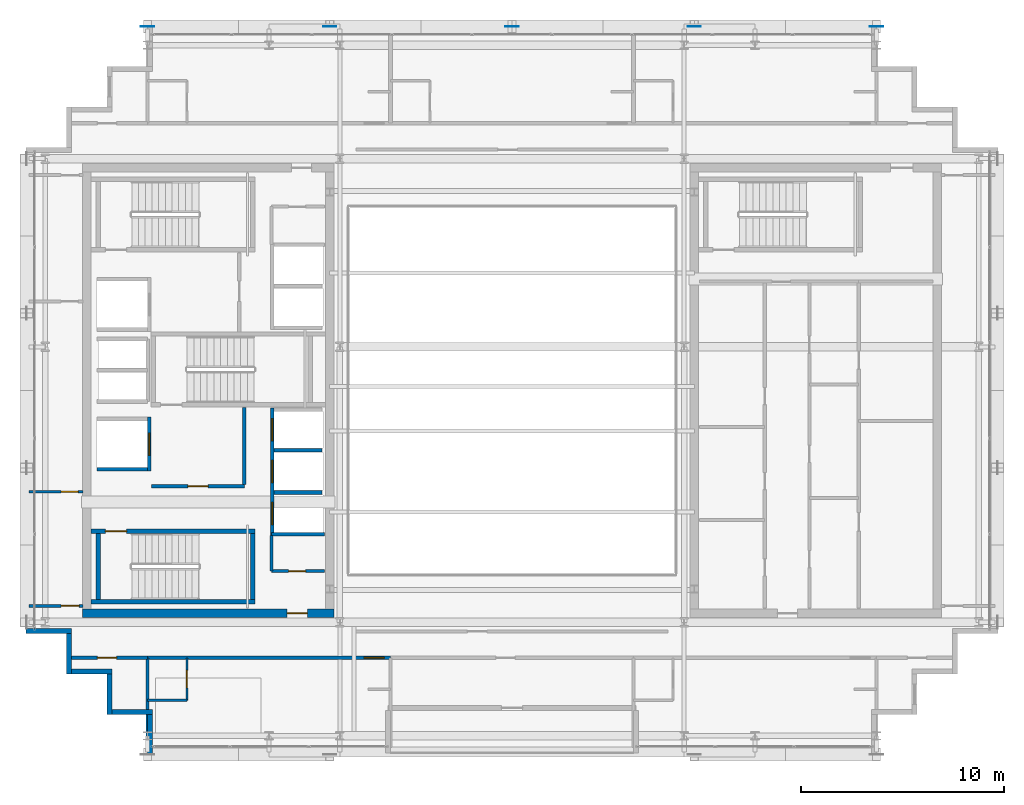
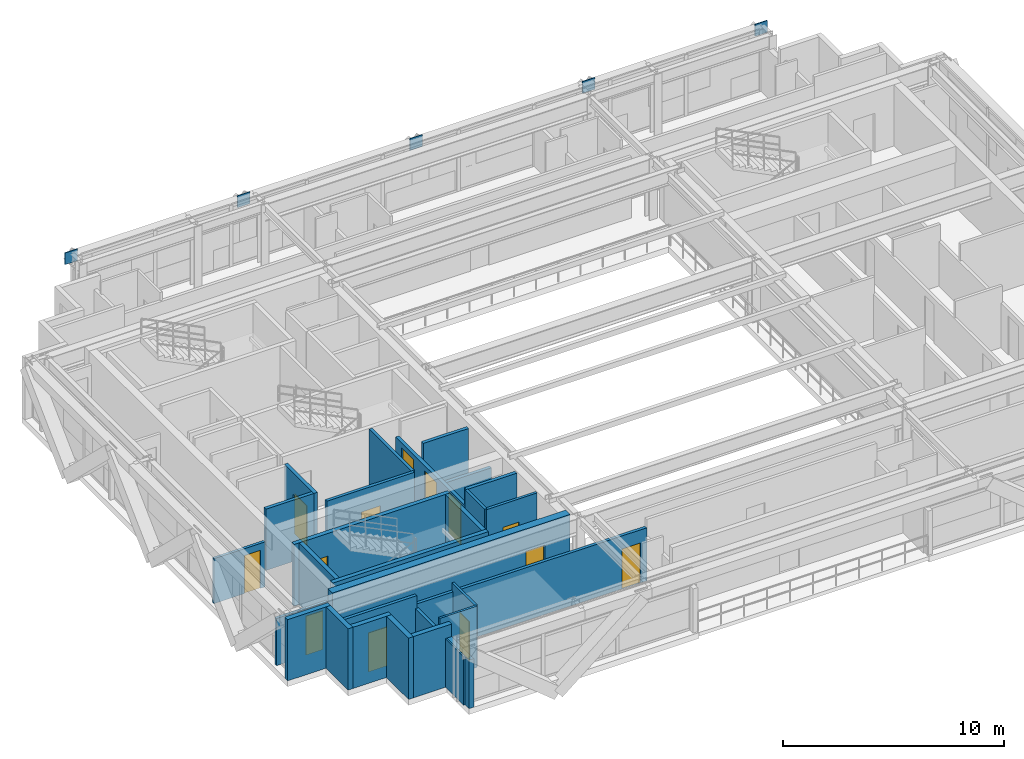
# One storey, part 21 of 29: 28 walls, 13 doors, 5 plates, 13 openings.
"""IFC4 building model written with IfcOpenShell, lengths in metres."""

import ifcopenshell
import ifcopenshell.guid

model = None  # the IFC model being written
_history = None  # IfcOwnerHistory: only IFC2X3 demands one
_inside = {}  # id of a spatial element -> (the spatial element, [elements in it])
_under = {}  # id of a project, library or spatial element -> (it, [spatial elements below it])
_declared = {}  # id of a project -> (the project, [libraries it declares])
_typed = {}  # id of a type object -> (the type object, [elements of that type])
_made_of = {}  # id of a material, layer set ... -> (it, [elements and type objects made of it])


def new_model(schema):
    """Start an empty IFC model of exactly this schema.

    Asked for "IFC4X3", IfcOpenShell would pick the latest addendum, in which some entities
    have other attributes; the version numbers below select the first issue.
    IFC2X3 requires an IfcOwnerHistory on every rooted entity: one is made here for all.
    """
    global model, _history
    if schema == "IFC4X3":
        model = ifcopenshell.file(schema_version=(4, 3, 0, 0))
    else:
        model = ifcopenshell.file(schema=schema)
    _inside.clear()
    _under.clear()
    _declared.clear()
    _typed.clear()
    _made_of.clear()
    _history = None
    if model.schema == "IFC2X3":
        org = make("IfcOrganization", Name="unknown")
        user = make(
            "IfcPersonAndOrganization",
            ThePerson=make("IfcPerson", FamilyName="unknown"),
            TheOrganization=org,
        )
        app = make(
            "IfcApplication",
            ApplicationDeveloper=org,
            Version="unknown",
            ApplicationFullName="unknown",
            ApplicationIdentifier="unknown",
        )
        _history = make(
            "IfcOwnerHistory",
            OwningUser=user,
            OwningApplication=app,
            ChangeAction="ADDED",
            CreationDate=0,
        )
    return model


def make(cls, **values):
    """One entity of the class cls with the attributes given. An attribute that is None is left unset."""
    return model.create_entity(
        cls, **{name: value for name, value in values.items() if value is not None}
    )


def rooted(cls, **values):
    """An entity with a GlobalId (a new one), such as an element, a storey or a relation."""
    return make(cls, GlobalId=ifcopenshell.guid.new(), OwnerHistory=_history, **values)


def si_unit(unit_type, name, prefix=None):
    """IfcSIUnit, for example si_unit("LENGTHUNIT", "METRE", prefix="MILLI")."""
    return make("IfcSIUnit", UnitType=unit_type, Prefix=prefix, Name=name)


def assignment(units):
    """IfcUnitAssignment: the units of a project."""
    return None if units is None else make("IfcUnitAssignment", Units=units)


def point(xyz):
    """IfcCartesianPoint."""
    return None if xyz is None else make("IfcCartesianPoint", Coordinates=xyz)


def direction(xyz):
    """IfcDirection."""
    return None if xyz is None else make("IfcDirection", DirectionRatios=xyz)


def frame(location, z_axis=None, x_axis=None):
    """IfcAxis2Placement3D, a coordinate frame: its origin and axes. An axis left out is left unset."""
    return make(
        "IfcAxis2Placement3D",
        Location=point(location),
        Axis=direction(z_axis),
        RefDirection=direction(x_axis),
    )


def frame_2d(location, x_axis=None):
    """IfcAxis2Placement2D, a coordinate frame in the plane: its origin and x axis."""
    return make(
        "IfcAxis2Placement2D", Location=point(location), RefDirection=direction(x_axis)
    )


def origin():
    """The frame at (0, 0, 0) with its axes left unset."""
    return frame((0.0, 0.0, 0.0))


def origin_2d():
    """The frame at (0, 0) in the plane with its x axis left unset."""
    return frame_2d((0.0, 0.0))


def place(relative_to, where):
    """IfcLocalPlacement: puts the frame where relative to a parent placement (None: the world)."""
    return make(
        "IfcLocalPlacement", PlacementRelTo=relative_to, RelativePlacement=where
    )


def context(
    kind, dimensions, precision=None, world=None, true_north=None, identifier=None
):
    """IfcGeometricRepresentationContext, for example the 3D "Model" context."""
    return make(
        "IfcGeometricRepresentationContext",
        ContextIdentifier=identifier,
        ContextType=kind,
        CoordinateSpaceDimension=dimensions,
        Precision=precision,
        WorldCoordinateSystem=world,
        TrueNorth=true_north,
    )


def subcontext(parent, identifier, kind, view, scale=None):
    """IfcGeometricRepresentationSubContext, for example "Body" below "Model"."""
    return make(
        "IfcGeometricRepresentationSubContext",
        ContextIdentifier=identifier,
        ContextType=kind,
        ParentContext=parent,
        TargetScale=scale,
        TargetView=view,
    )


def project(units=None, contexts=None):
    """IfcProject with its units and contexts."""
    return rooted(
        "IfcProject",
        Name="project",
        RepresentationContexts=contexts,
        UnitsInContext=assignment(units),
    )


def spatial(cls, under=None, at=None, **own):
    """A site, building, storey or space (cls), placed at a placement, below another one or the project."""
    s = rooted(cls, ObjectPlacement=at, **own)
    if under is not None:
        _under.setdefault(under.id(), (under, []))[1].append(s)
    return s


def profile(cls, at=None, kind="AREA", **sizes):
    """A parametric profile (cls). Its sizes go by their IFC names, for example OverallWidth=200.0."""
    return make(cls, ProfileType=kind, Position=at, **sizes)


def rectangle(**sizes):
    """IfcRectangleProfileDef."""
    return profile("IfcRectangleProfileDef", **sizes)


def extrude(swept, where, along, depth):
    """IfcExtrudedAreaSolid: the profile swept, set in the frame where, extruded along a direction by depth."""
    return make(
        "IfcExtrudedAreaSolid",
        SweptArea=swept,
        Position=where,
        ExtrudedDirection=direction(along),
        Depth=depth,
    )


def shape(context_of_items, identifier, shape_type, items):
    """IfcShapeRepresentation: the items that make up one representation, for example the "Body"."""
    return make(
        "IfcShapeRepresentation",
        ContextOfItems=context_of_items,
        RepresentationIdentifier=identifier,
        RepresentationType=shape_type,
        Items=items,
    )


def source(mapping_origin, context_of_items, identifier, shape_type, items):
    """IfcRepresentationMap: a shape defined once, which mapped items show again and again."""
    return make(
        "IfcRepresentationMap",
        MappingOrigin=mapping_origin,
        MappedRepresentation=shape(context_of_items, identifier, shape_type, items),
    )


def transform(
    local_origin,
    x_axis=None,
    y_axis=None,
    z_axis=None,
    scale=None,
    scale2=None,
    scale3=None,
    uniform=True,
):
    """IfcCartesianTransformationOperator3D, or its non-uniform kind. x_axis, y_axis, z_axis: its Axis1, 2, 3."""
    if uniform:
        return make(
            "IfcCartesianTransformationOperator3D",
            Axis1=direction(x_axis),
            Axis2=direction(y_axis),
            LocalOrigin=point(local_origin),
            Scale=scale,
            Axis3=direction(z_axis),
        )
    return make(
        "IfcCartesianTransformationOperator3DnonUniform",
        Axis1=direction(x_axis),
        Axis2=direction(y_axis),
        LocalOrigin=point(local_origin),
        Scale=scale,
        Axis3=direction(z_axis),
        Scale2=scale2,
        Scale3=scale3,
    )


def mapped(mapping_source, mapping_target):
    """IfcMappedItem: shows the shape of a source again, moved by a transform."""
    return make(
        "IfcMappedItem", MappingSource=mapping_source, MappingTarget=mapping_target
    )


def material(Name=None, Category=None):
    """IfcMaterial."""
    return make("IfcMaterial", Name=Name, Category=Category)


def layer(
    of_material, thickness, ventilated=None, Name=None, Category=None, Priority=None
):
    """IfcMaterialLayer: one layer of a wall or slab, of a material (None: an air gap)."""
    return make(
        "IfcMaterialLayer",
        Material=of_material,
        LayerThickness=thickness,
        IsVentilated=ventilated,
        Name=Name,
        Category=Category,
        Priority=Priority,
    )


def layer_set(layers, Name=None):
    """IfcMaterialLayerSet."""
    return make("IfcMaterialLayerSet", MaterialLayers=layers, LayerSetName=Name)


def made_of(thing, what):
    """Note that an element or type object is made of a material, layer set ...; save() writes the relation."""
    if what is not None:
        _made_of.setdefault(what.id(), (what, []))[1].append(thing)
    return thing


def type_object(cls, material=None, **own):
    """A type object (cls), such as IfcWallType, which elements share."""
    return made_of(rooted(cls, **own), material)


def element(
    cls,
    number,
    at=None,
    inside=None,
    cuts=None,
    type_object=None,
    material=None,
    context=None,
    identifier="Body",
    shape_type=None,
    held_by="IfcProductDefinitionShape",
    body=None,
    shapes=None,
    **own,
):
    """One element of the class cls, such as IfcWall. Its Tag is "e" and its number.

    at: its placement. inside: the storey or other place that contains it. cuts: it is an
    opening in that element (IfcRelVoidsElement). A single representation is given by context,
    identifier, shape_type and body (its items); several are given by shapes. held_by: the class
    of the entity that holds the representations. save() writes the other relations.
    """
    e = rooted(cls, Tag="e%d" % number, ObjectPlacement=at, **own)
    if body is not None:
        shapes = [shape(context, identifier, shape_type, body)]
    if shapes is not None:
        e.Representation = make(held_by, Representations=shapes)
    if inside is not None:
        _inside.setdefault(inside.id(), (inside, []))[1].append(e)
    if cuts is not None:
        rooted(
            "IfcRelVoidsElement", RelatingBuildingElement=cuts, RelatedOpeningElement=e
        )
    if type_object is not None:
        _typed.setdefault(type_object.id(), (type_object, []))[1].append(e)
    return made_of(e, material)


def fill(opening, filler):
    """IfcRelFillsElement: the door or window that sits in an opening."""
    return rooted(
        "IfcRelFillsElement",
        RelatingOpeningElement=opening,
        RelatedBuildingElement=filler,
    )


def aggregate(whole, parts):
    """IfcRelAggregates: a whole, such as a stair, and the parts it consists of."""
    return rooted("IfcRelAggregates", RelatingObject=whole, RelatedObjects=parts)


def save(model, path):
    """Write the relations noted so far, then the file.

    IfcRelAggregates (storeys below a building ...), IfcRelContainedInSpatialStructure (elements
    in a storey), IfcRelDefinesByType, IfcRelAssociatesMaterial and IfcRelDeclares: one each for
    every whole, place, type object, material and project.
    """
    for whole, parts in _under.values():
        aggregate(whole, parts)
    for where, things in _inside.values():
        rooted(
            "IfcRelContainedInSpatialStructure",
            RelatedElements=things,
            RelatingStructure=where,
        )
    for kind, things in _typed.values():
        rooted("IfcRelDefinesByType", RelatedObjects=things, RelatingType=kind)
    for what, things in _made_of.values():
        rooted("IfcRelAssociatesMaterial", RelatedObjects=things, RelatingMaterial=what)
    for by, libraries in _declared.values():
        rooted("IfcRelDeclares", RelatingContext=by, RelatedDefinitions=libraries)
    model.write(path)


model = new_model("IFC4")

# Units and contexts
model_context = context("Model", 3, precision=1e-05, world=origin(), true_north=direction((0.0, 1.0)))
body_context = subcontext(model_context, "Body", "Model", "MODEL_VIEW")
ifc_project = project(units=[si_unit("LENGTHUNIT", "METRE"), si_unit("AREAUNIT", "SQUARE_METRE"), si_unit("VOLUMEUNIT", "CUBIC_METRE"), si_unit("PLANEANGLEUNIT", "RADIAN"), si_unit("MASSUNIT", "GRAM", prefix="KILO")], contexts=[model_context])

# Site, building, storey
site_placement = place(None, origin())
site = spatial("IfcSite", under=ifc_project, at=site_placement, CompositionType="ELEMENT")
building_placement = place(site_placement, origin())
building = spatial("IfcBuilding", under=site, at=building_placement, Name="Ocotamira Hotel", CompositionType="ELEMENT")
storey_placement = place(building_placement, frame((0.0, 0.0, 247.199951171875)))
storey = spatial("IfcBuildingStorey", under=building, at=storey_placement, Name="L62", CompositionType="ELEMENT", Elevation=247.199951171875)

# Plates
ifc_material_1 = material(Name="Pale-metal coated steel ASTM A572 Grade 50", Category="steel")
ifc_layer_1 = layer(ifc_material_1, 0.0400390625)
ifc_layer_set_1 = layer_set([ifc_layer_1], Name="Pale-metal coated steel ASTM A572 Grade 50")
plate_type = type_object("IfcPlateType", Name="PLT-GUSSET-40", PredefinedType="SHEET", material=ifc_layer_set_1)
shared_shape_1 = source(origin(), body_context, "Body", "SweptSolid", [
    extrude(rectangle(XDim=0.64990234375, YDim=0.0400390625, at=origin_2d()), origin(), (0.0, 0.0, 1.0), 0.64990234375),
])
for number, where, z_axis, x_axis, name in (
    (1, (14.0, 43.969970703125, 2.80517578125), (0.0, 0.0, 1.0), (-1.0, 0.0, 0.0), "L62 Exoskeleton Diagrid N0.1 End Gusset B"),
    (2, (23.0, 43.969970703125, 2.80517578125), (0.0, 0.0, 1.0), (1.0, 0.0, 0.0), "L62 Exoskeleton Diagrid N0.2 End Gusset B"),
    (3, (32.0, 43.969970703125, 2.80517578125), (0.0, 0.0, 1.0), (1.0, 0.0, 0.0), "L62 Exoskeleton Diagrid N1.2 End Gusset B"),
    (4, (41.0, 43.969970703125, 2.80517578125), (0.0, 0.0, 1.0), (1.0, 0.0, 0.0), "L62 Exoskeleton Diagrid N2.2 End Gusset B"),
    (5, (50.0, 43.969970703125, 2.80517578125), (0.0, 0.0, 1.0), (1.0, 0.0, 0.0), "L62 Exoskeleton Diagrid N3.2 End Gusset B"),
):
    element("IfcPlate", number, at=place(storey_placement, frame(where, z_axis=z_axis, x_axis=x_axis)), inside=storey, type_object=plate_type, Name=name, PredefinedType="SHEET", context=body_context, shape_type="MappedRepresentation", body=[
        mapped(shared_shape_1, transform((0.0, 0.0, 0.0), scale=1.0)),
    ])

# Wall, opening, door
ifc_material_2 = material(Name="Concrete C50/60", Category="concrete")
ifc_layer_2 = layer(ifc_material_2, 0.39990234375)
ifc_layer_set_2 = layer_set([ifc_layer_2], Name="Concrete C50/60")
wall_type_1 = type_object("IfcWallType", Name="WL-CORE-400", PredefinedType="SHEAR", material=ifc_layer_set_2)
wall_1_placement = place(storey_placement, frame((10.800048828125, 15.0, 0.0), z_axis=(0.0, 0.0, 1.0), x_axis=(1.0, 0.0, 0.0)))
wall_1 = element("IfcWall", 6, at=wall_1_placement, inside=storey, type_object=wall_type_1, Name="L62 Shear Core Wall WCORE-S", PredefinedType="SHEAR", context=body_context, shape_type="SweptSolid", body=[
    extrude(rectangle(XDim=12.39990234375, YDim=0.39990234375, at=frame_2d((6.199951171875, 0.0))), origin(), (0.0, 0.0, 1.0), 3.380126953125),
])
opening_1_placement = place(wall_1_placement, frame((10.10009765625, 0.0, 0.0)))
opening_1 = element("IfcOpeningElement", 7, at=opening_1_placement, cuts=wall_1, Name="Opening D-FR2", PredefinedType="OPENING", context=body_context, shape_type="SweptSolid", body=[
    extrude(rectangle(XDim=1.0, YDim=2.14990234375, at=frame_2d((0.5, 1.074951171875))), frame((0.0, 0.2099609375, 0.0), z_axis=(0.0, -1.0, 0.0), x_axis=(1.0, 0.0, 0.0)), (0.0, 0.0, 1.0), 0.419921875),
])
ifc_material_3 = material(Name="Fire-rated acoustic timber-veneer door", Category="wood")
door_type_1 = type_object("IfcDoorType", Name="DR-FIRE-1000", OperationType="NOTDEFINED", PredefinedType="DOOR", material=ifc_material_3)
shared_shape_2 = source(origin(), body_context, "Body", "SweptSolid", [
    extrude(rectangle(XDim=1.0, YDim=2.14990234375, at=frame_2d((0.5, 1.074951171875))), frame((0.0, 0.02490234375, 0.0), z_axis=(0.0, -1.0, 0.0), x_axis=(1.0, 0.0, 0.0)), (0.0, 0.0, 1.0), 0.050048828125),
])
door_1_placement = place(opening_1_placement, origin())
door_1 = element("IfcDoor", 8, at=door_1_placement, inside=storey, type_object=door_type_1, Name="L62 Door ID-L62-WLOB-S-D [ID-L62-WLOB-S-D]", OperationType="SINGLE_SWING_LEFT", OverallHeight=2.14990234375, OverallWidth=1.0, PredefinedType="DOOR", context=body_context, shape_type="MappedRepresentation", body=[
    mapped(shared_shape_2, transform((0.0, 0.0, 0.0), scale=1.0)),
])
fill(opening_1, door_1)

# Walls
ifc_material_4 = material(Name="Precast concrete C45/55", Category="concrete")
ifc_layer_3 = layer(ifc_material_4, 0.25)
ifc_layer_set_3 = layer_set([ifc_layer_3], Name="Precast concrete C45/55")
wall_type_2 = type_object("IfcWallType", Name="WL-EXT-SER-250", PredefinedType="SOLIDWALL", material=ifc_layer_set_3)
wall_2_placement = place(storey_placement, frame((8.0, 14.125, 0.0), z_axis=(0.0, 0.0, 1.0), x_axis=(1.0, 0.0, 0.0)))
element("IfcWall", 9, at=wall_2_placement, inside=storey, type_object=wall_type_2, Name="L62 Serrated Corner Wall 19", PredefinedType="SOLIDWALL", context=body_context, shape_type="SweptSolid", body=[
    extrude(rectangle(XDim=2.25, YDim=0.25, at=frame_2d((1.125, 0.0))), origin(), (0.0, 0.0, 1.0), 3.380126953125),
])
for number, where, z_axis, x_axis, name in (
    (10, (10.125, 14.0, 0.0), (0.0, 0.0, 1.0), (0.0, -1.0, 0.0), "L62 Serrated Corner Wall 20"),
    (11, (10.25, 12.125, 0.0), (0.0, 0.0, 1.0), (1.0, 0.0, 0.0), "L62 Serrated Corner Wall 21"),
    (12, (12.125, 12.0, 0.0), (0.0, 0.0, 1.0), (0.0, -1.0, 0.0), "L62 Serrated Corner Wall 22"),
    (13, (12.25, 10.125, 0.0), (0.0, 0.0, 1.0), (1.0, 0.0, 0.0), "L62 Serrated Corner Wall 23"),
):
    element("IfcWall", number, at=place(storey_placement, frame(where, z_axis=z_axis, x_axis=x_axis)), inside=storey, type_object=wall_type_2, Name=name, PredefinedType="SOLIDWALL", context=body_context, shape_type="SweptSolid", body=[
        extrude(rectangle(XDim=2.0, YDim=0.25, at=frame_2d((1.0, 0.0))), origin(), (0.0, 0.0, 1.0), 3.380126953125),
    ])
wall_3_placement = place(storey_placement, frame((14.125, 10.0, 0.0), z_axis=(0.0, 0.0, 1.0), x_axis=(0.0, -1.0, 0.0)))
element("IfcWall", 14, at=wall_3_placement, inside=storey, type_object=wall_type_2, Name="L62 Serrated Corner Wall 24", PredefinedType="SOLIDWALL", context=body_context, shape_type="SweptSolid", body=[
    extrude(rectangle(XDim=2.0, YDim=0.25, at=frame_2d((1.0, 0.0))), origin(), (0.0, 0.0, 1.0), 2.68701171875),
])

# Wall, opening, door
ifc_material_5 = material(Name="Acoustic double-layer fire gypsum board partition", Category="gypsum")
ifc_layer_4 = layer(ifc_material_5, 0.159912109375)
ifc_layer_set_4 = layer_set([ifc_layer_4], Name="Acoustic double-layer fire gypsum board partition")
wall_type_3 = type_object("IfcWallType", Name="WL-FIRE-160", PredefinedType="PARTITIONING", material=ifc_layer_set_4)
wall_4_placement = place(storey_placement, frame((14.199951171875, 21.27001953125, 0.0), z_axis=(0.0, 0.0, 1.0), x_axis=(1.0, 0.0, 0.0)))
wall_4 = element("IfcWall", 15, at=wall_4_placement, inside=storey, type_object=wall_type_3, Name="L62 Interior Wall PW-L62-FSAE1-S", PredefinedType="PARTITIONING", context=body_context, shape_type="SweptSolid", body=[
    extrude(rectangle(XDim=4.580078125, YDim=0.159912109375, at=frame_2d((2.2900390625, 0.0))), origin(), (0.0, 0.0, 1.0), 3.380126953125),
])
opening_2_placement = place(wall_4_placement, frame((1.800048828125, 0.0, 0.0)))
opening_2 = element("IfcOpeningElement", 16, at=opening_2_placement, cuts=wall_4, Name="Opening D-FR2", PredefinedType="OPENING", context=body_context, shape_type="SweptSolid", body=[
    extrude(rectangle(XDim=1.0, YDim=2.14990234375, at=frame_2d((0.5, 1.074951171875))), frame((0.0, 0.08984375, 0.0), z_axis=(0.0, -1.0, 0.0), x_axis=(1.0, 0.0, 0.0)), (0.0, 0.0, 1.0), 0.179931640625),
])
door_2_placement = place(opening_2_placement, origin())
door_2 = element("IfcDoor", 17, at=door_2_placement, inside=storey, type_object=door_type_1, Name="L62 Door ID-L62-FSAE1-D [ID-L62-FSAE1-D]", OperationType="SINGLE_SWING_LEFT", OverallHeight=2.14990234375, OverallWidth=1.0, PredefinedType="DOOR", context=body_context, shape_type="MappedRepresentation", body=[
    mapped(shared_shape_2, transform((0.0, 0.0, 0.0), scale=1.0)),
])
fill(opening_2, door_2)

# Wall
wall_5_placement = place(storey_placement, frame((18.780029296875, 21.35009765625, 0.0), z_axis=(0.0, 0.0, 1.0), x_axis=(0.0, 1.0, 0.0)))
element("IfcWall", 18, at=wall_5_placement, inside=storey, type_object=wall_type_3, Name="L62 Interior Wall PW-L62-FSAE1-E", PredefinedType="PARTITIONING", context=body_context, shape_type="SweptSolid", body=[
    extrude(rectangle(XDim=3.809814453125, YDim=0.159912109375, at=frame_2d((1.90478515625, 0.0))), origin(), (0.0, 0.0, 1.0), 3.380126953125),
])

# Wall, opening, door
wall_6_placement = place(storey_placement, frame((14.0, 12.800048828125, 0.0), z_axis=(0.0, 0.0, 1.0), x_axis=(1.0, 0.0, 0.0)))
wall_6 = element("IfcWall", 19, at=wall_6_placement, inside=storey, type_object=wall_type_3, Name="L62 Interior Wall PW-L62-Z4CSW-CORRW", PredefinedType="PARTITIONING", context=body_context, shape_type="SweptSolid", body=[
    extrude(rectangle(XDim=12.0, YDim=0.159912109375, at=frame_2d((6.0, 0.0))), origin(), (0.0, 0.0, 1.0), 2.923095703125),
])
opening_3_placement = place(wall_6_placement, frame((10.699951171875, 0.0, 0.0)))
opening_3 = element("IfcOpeningElement", 20, at=opening_3_placement, cuts=wall_6, Name="Opening D-GR2", PredefinedType="OPENING", context=body_context, shape_type="SweptSolid", body=[
    extrude(rectangle(XDim=0.97998046875, YDim=2.199951171875, at=frame_2d((0.489990234375, 1.10009765625))), frame((0.0, 0.08984375, 0.0), z_axis=(0.0, -1.0, 0.0), x_axis=(1.0, 0.0, 0.0)), (0.0, 0.0, 1.0), 0.179931640625),
])
ifc_material_6 = material(Name="Solid-core walnut grand-suite entrance fire door", Category="wood")
door_type_2 = type_object("IfcDoorType", Name="DR-GUEST-980", OperationType="NOTDEFINED", PredefinedType="DOOR", material=ifc_material_6)
shared_shape_3 = source(origin(), body_context, "Body", "SweptSolid", [
    extrude(rectangle(XDim=0.97998046875, YDim=2.199951171875, at=frame_2d((0.489990234375, 1.10009765625))), frame((0.0, 0.02490234375, 0.0), z_axis=(0.0, -1.0, 0.0), x_axis=(1.0, 0.0, 0.0)), (0.0, 0.0, 1.0), 0.050048828125),
])
door_3_placement = place(opening_3_placement, origin())
door_3 = element("IfcDoor", 21, at=door_3_placement, inside=storey, type_object=door_type_2, Name="L62 Door ID-L62-Z4CSW-RMD1 [ID-L62-Z4CSW-RMD1]", OperationType="SINGLE_SWING_LEFT", OverallHeight=2.199951171875, OverallWidth=0.97998046875, PredefinedType="DOOR", context=body_context, shape_type="MappedRepresentation", body=[
    mapped(shared_shape_3, transform((0.0, 0.0, 0.0), scale=1.0)),
])
fill(opening_3, door_3)

wall_7_placement = place(storey_placement, frame((10.0, 12.800048828125, 0.0), z_axis=(0.0, 0.0, 1.0), x_axis=(1.0, 0.0, 0.0)))
wall_7 = element("IfcWall", 22, at=wall_7_placement, inside=storey, type_object=wall_type_3, Name="L62 Interior Wall PW-L62-Z4CSW-CW", PredefinedType="PARTITIONING", context=body_context, shape_type="SweptSolid", body=[
    extrude(rectangle(XDim=4.0, YDim=0.159912109375, at=frame_2d((2.0, 0.0))), origin(), (0.0, 0.0, 1.0), 3.380126953125),
])
opening_4_placement = place(wall_7_placement, frame((1.52001953125, 0.0, 0.0)))
opening_4 = element("IfcOpeningElement", 23, at=opening_4_placement, cuts=wall_7, Name="Opening D-SV4", PredefinedType="OPENING", context=body_context, shape_type="SweptSolid", body=[
    extrude(rectangle(XDim=0.9599609375, YDim=2.14990234375, at=frame_2d((0.47998046875, 1.074951171875))), frame((0.0, 0.08984375, 0.0), z_axis=(0.0, -1.0, 0.0), x_axis=(1.0, 0.0, 0.0)), (0.0, 0.0, 1.0), 0.179931640625),
])
ifc_material_7 = material(Name="Fire-rated accessible walnut salon door", Category="wood")
door_type_3 = type_object("IfcDoorType", Name="DR-SERV-960", OperationType="NOTDEFINED", PredefinedType="DOOR", material=ifc_material_7)
shared_shape_4 = source(origin(), body_context, "Body", "SweptSolid", [
    extrude(rectangle(XDim=0.9599609375, YDim=2.14990234375, at=frame_2d((0.47998046875, 1.074951171875))), frame((0.0, 0.02490234375, 0.0), z_axis=(0.0, -1.0, 0.0), x_axis=(1.0, 0.0, 0.0)), (0.0, 0.0, 1.0), 0.050048828125),
])
door_4_placement = place(opening_4_placement, origin())
door_4 = element("IfcDoor", 24, at=door_4_placement, inside=storey, type_object=door_type_3, Name="L62 Door ID-L62-Z4CSW-CD [ID-L62-Z4CSW-CD]", OperationType="SINGLE_SWING_LEFT", OverallHeight=2.14990234375, OverallWidth=0.9599609375, PredefinedType="DOOR", context=body_context, shape_type="MappedRepresentation", body=[
    mapped(shared_shape_4, transform((0.0, 0.0, 0.0), scale=1.0)),
])
fill(opening_4, door_4)

ifc_material_8 = material(Name="Moisture-resistant en-suite tile and gypsum partition", Category="gypsum")
ifc_layer_5 = layer(ifc_material_8, 0.1201171875)
ifc_layer_set_5 = layer_set([ifc_layer_5], Name="Moisture-resistant en-suite tile and gypsum partition")
wall_type_4 = type_object("IfcWallType", Name="WL-PART-120", PredefinedType="PARTITIONING", material=ifc_layer_set_5)
wall_8_placement = place(storey_placement, frame((15.949951171875, 10.699951171875, 0.0), z_axis=(0.0, 0.0, 1.0), x_axis=(0.0, 1.0, 0.0)))
wall_8 = element("IfcWall", 25, at=wall_8_placement, inside=storey, type_object=wall_type_4, Name="L62 Interior Wall PW-L62-Z4CSW-BAE1", PredefinedType="PARTITIONING", context=body_context, shape_type="SweptSolid", body=[
    extrude(rectangle(XDim=2.10009765625, YDim=0.1201171875, at=frame_2d((1.050048828125, 0.0))), origin(), (0.0, 0.0, 1.0), 3.380126953125),
])
opening_5_placement = place(wall_8_placement, frame((0.6201171875, 0.0, 0.0)))
opening_5 = element("IfcOpeningElement", 26, at=opening_5_placement, cuts=wall_8, Name="Opening D-BA1", PredefinedType="OPENING", context=body_context, shape_type="SweptSolid", body=[
    extrude(rectangle(XDim=0.860107421875, YDim=2.10009765625, at=frame_2d((0.43017578125, 1.050048828125))), frame((0.0, 0.070068359375, 0.0), z_axis=(0.0, -1.0, 0.0), x_axis=(1.0, 0.0, 0.0)), (0.0, 0.0, 1.0), 0.14013671875),
])
ifc_material_9 = material(Name="Moisture-sealed en-suite timber door", Category="wood")
door_type_4 = type_object("IfcDoorType", Name="DR-BATH-860", OperationType="NOTDEFINED", PredefinedType="DOOR", material=ifc_material_9)
shared_shape_5 = source(origin(), body_context, "Body", "SweptSolid", [
    extrude(rectangle(XDim=0.860107421875, YDim=2.10009765625, at=frame_2d((0.43017578125, 1.050048828125))), frame((0.0, 0.02490234375, 0.0), z_axis=(0.0, -1.0, 0.0), x_axis=(1.0, 0.0, 0.0)), (0.0, 0.0, 1.0), 0.050048828125),
])
door_5_placement = place(opening_5_placement, origin())
door_5 = element("IfcDoor", 27, at=door_5_placement, inside=storey, type_object=door_type_4, Name="L62 Door ID-L62-Z4CSW-BAD1 [ID-L62-Z4CSW-BAD1]", OperationType="SINGLE_SWING_RIGHT", OverallHeight=2.10009765625, OverallWidth=0.860107421875, PredefinedType="DOOR", context=body_context, shape_type="MappedRepresentation", body=[
    mapped(shared_shape_5, transform((0.0, 0.0, 0.0), scale=1.0)),
])
fill(opening_5, door_5)

# Walls
wall_9_placement = place(storey_placement, frame((14.0, 10.699951171875, 0.0), z_axis=(0.0, 0.0, 1.0), x_axis=(1.0, 0.0, 0.0)))
element("IfcWall", 28, at=wall_9_placement, inside=storey, type_object=wall_type_4, Name="L62 Interior Wall PW-L62-Z4CSW-BAS1", PredefinedType="PARTITIONING", context=body_context, shape_type="SweptSolid", body=[
    extrude(rectangle(XDim=1.949951171875, YDim=0.1201171875, at=frame_2d((0.97509765625, 0.0))), origin(), (0.0, 0.0, 1.0), 3.380126953125),
])
ifc_material_10 = material(Name="Acoustic hospitality gypsum board partition", Category="gypsum")
ifc_layer_6 = layer(ifc_material_10, 0.14208984375)
ifc_layer_set_6 = layer_set([ifc_layer_6], Name="Acoustic hospitality gypsum board partition")
wall_type_5 = type_object("IfcWallType", Name="WL-PART-142", PredefinedType="PARTITIONING", material=ifc_layer_set_6)
wall_10_placement = place(storey_placement, frame((20.1201171875, 17.080078125, 0.0), z_axis=(0.0, 0.0, 1.0), x_axis=(0.0, 1.0, 0.0)))
element("IfcWall", 29, at=wall_10_placement, inside=storey, type_object=wall_type_5, Name="L62 Interior Wall PW-L62-WC-SE-W2", PredefinedType="PARTITIONING", context=body_context, shape_type="SweptSolid", body=[
    extrude(rectangle(XDim=1.760009765625, YDim=0.14208984375, at=frame_2d((0.8798828125, 0.0))), origin(), (0.0, 0.0, 1.0), 3.380126953125),
])

# Wall, opening, door
wall_11_placement = place(storey_placement, frame((20.1201171875, 17.080078125, 0.0), z_axis=(0.0, 0.0, 1.0), x_axis=(1.0, 0.0, 0.0)))
wall_11 = element("IfcWall", 30, at=wall_11_placement, inside=storey, type_object=wall_type_5, Name="L62 Interior Wall PW-L62-WC-SE-S2", PredefinedType="PARTITIONING", context=body_context, shape_type="SweptSolid", body=[
    extrude(rectangle(XDim=2.6298828125, YDim=0.14208984375, at=frame_2d((1.31494140625, 0.0))), origin(), (0.0, 0.0, 1.0), 3.380126953125),
])
opening_6_placement = place(wall_11_placement, frame((0.85009765625, 0.0, 0.0)))
opening_6 = element("IfcOpeningElement", 31, at=opening_6_placement, cuts=wall_11, Name="Opening D-SV1", PredefinedType="OPENING", context=body_context, shape_type="SweptSolid", body=[
    extrude(rectangle(XDim=0.840087890625, YDim=2.10009765625, at=frame_2d((0.419921875, 1.050048828125))), frame((0.0, 0.0810546875, 0.0), z_axis=(0.0, -1.0, 0.0), x_axis=(1.0, 0.0, 0.0)), (0.0, 0.0, 1.0), 0.162109375),
])
ifc_material_11 = material(Name="Fire-rated painted steel service door", Category="steel")
door_type_5 = type_object("IfcDoorType", Name="DR-SERV-840", OperationType="NOTDEFINED", PredefinedType="DOOR", material=ifc_material_11)
shared_shape_6 = source(origin(), body_context, "Body", "SweptSolid", [
    extrude(rectangle(XDim=0.840087890625, YDim=2.10009765625, at=frame_2d((0.419921875, 1.050048828125))), frame((0.0, 0.02490234375, 0.0), z_axis=(0.0, -1.0, 0.0), x_axis=(1.0, 0.0, 0.0)), (0.0, 0.0, 1.0), 0.050048828125),
])
door_6_placement = place(opening_6_placement, origin())
door_6 = element("IfcDoor", 32, at=door_6_placement, inside=storey, type_object=door_type_5, Name="L62 Door ID-L62-WC-SE-D2 [ID-L62-WC-SE-D2]", OperationType="SINGLE_SWING_LEFT", OverallHeight=2.10009765625, OverallWidth=0.840087890625, PredefinedType="DOOR", context=body_context, shape_type="MappedRepresentation", body=[
    mapped(shared_shape_6, transform((0.0, 0.0, 0.0), scale=1.0)),
])
fill(opening_6, door_6)

wall_12_placement = place(storey_placement, frame((8.159912109375, 21.0, 0.0), z_axis=(0.0, 0.0, 1.0), x_axis=(1.0, 0.0, 0.0)))
wall_12 = element("IfcWall", 33, at=wall_12_placement, inside=storey, type_object=wall_type_5, Name="L62 Interior Wall PW-L62-Z4CW-DV1", PredefinedType="PARTITIONING", context=body_context, shape_type="SweptSolid", body=[
    extrude(rectangle(XDim=2.66015625, YDim=0.14208984375, at=frame_2d((1.330078125, 0.0))), origin(), (0.0, 0.0, 1.0), 2.47998046875),
])
opening_7_placement = place(wall_12_placement, frame((1.580078125, 0.0, 0.0)))
opening_7 = element("IfcOpeningElement", 34, at=opening_7_placement, cuts=wall_12, Name="Opening D-SV1", PredefinedType="OPENING", context=body_context, shape_type="SweptSolid", body=[
    extrude(rectangle(XDim=0.840087890625, YDim=2.10009765625, at=frame_2d((0.419921875, 1.050048828125))), frame((0.0, 0.0810546875, 0.0), z_axis=(0.0, -1.0, 0.0), x_axis=(1.0, 0.0, 0.0)), (0.0, 0.0, 1.0), 0.162109375),
])
door_7_placement = place(opening_7_placement, origin())
door_7 = element("IfcDoor", 35, at=door_7_placement, inside=storey, type_object=door_type_5, Name="L62 Door ID-L62-Z4CW-DV1D [ID-L62-Z4CW-DV1D]", OperationType="SINGLE_SWING_LEFT", OverallHeight=2.10009765625, OverallWidth=0.840087890625, PredefinedType="DOOR", context=body_context, shape_type="MappedRepresentation", body=[
    mapped(shared_shape_6, transform((0.0, 0.0, 0.0), scale=1.0)),
])
fill(opening_7, door_7)

ifc_layer_7 = layer(ifc_material_10, 0.14990234375)
ifc_layer_set_7 = layer_set([ifc_layer_7], Name="Acoustic hospitality gypsum board partition")
wall_type_6 = type_object("IfcWallType", Name="WL-PART-150", PredefinedType="PARTITIONING", material=ifc_layer_set_7)
wall_13_placement = place(storey_placement, frame((8.159912109375, 15.360107421875, 0.0), z_axis=(0.0, 0.0, 1.0), x_axis=(1.0, 0.0, 0.0)))
wall_13 = element("IfcWall", 36, at=wall_13_placement, inside=storey, type_object=wall_type_6, Name="L62 Interior Wall PW-L62-Z4CW-WS", PredefinedType="PARTITIONING", context=body_context, shape_type="SweptSolid", body=[
    extrude(rectangle(XDim=2.66015625, YDim=0.14990234375, at=frame_2d((1.330078125, 0.0))), origin(), (0.0, 0.0, 1.0), 2.60107421875),
])
opening_8_placement = place(wall_13_placement, frame((1.580078125, 0.0, 0.0)))
opening_8 = element("IfcOpeningElement", 37, at=opening_8_placement, cuts=wall_13, Name="Opening D-SV2", PredefinedType="OPENING", context=body_context, shape_type="SweptSolid", body=[
    extrude(rectangle(XDim=0.8798828125, YDim=2.14990234375, at=frame_2d((0.43994140625, 1.074951171875))), frame((0.0, 0.0849609375, 0.0), z_axis=(0.0, -1.0, 0.0), x_axis=(1.0, 0.0, 0.0)), (0.0, 0.0, 1.0), 0.169921875),
])
door_type_6 = type_object("IfcDoorType", Name="DR-SERV-880", OperationType="NOTDEFINED", PredefinedType="DOOR", material=ifc_material_11)
shared_shape_7 = source(origin(), body_context, "Body", "SweptSolid", [
    extrude(rectangle(XDim=0.8798828125, YDim=2.14990234375, at=frame_2d((0.43994140625, 1.074951171875))), frame((0.0, 0.02490234375, 0.0), z_axis=(0.0, -1.0, 0.0), x_axis=(1.0, 0.0, 0.0)), (0.0, 0.0, 1.0), 0.050048828125),
])
door_8_placement = place(opening_8_placement, origin())
door_8 = element("IfcDoor", 38, at=door_8_placement, inside=storey, type_object=door_type_6, Name="L62 Door ID-L62-Z4CW-DS [ID-L62-Z4CW-DS]", OperationType="SINGLE_SWING_LEFT", OverallHeight=2.14990234375, OverallWidth=0.8798828125, PredefinedType="DOOR", context=body_context, shape_type="MappedRepresentation", body=[
    mapped(shared_shape_7, transform((0.0, 0.0, 0.0), scale=1.0)),
])
fill(opening_8, door_8)

# Wall
ifc_material_12 = material(Name="Acoustic double-stud hospitality gypsum partition", Category="gypsum")
ifc_layer_8 = layer(ifc_material_12, 0.159912109375)
ifc_layer_set_8 = layer_set([ifc_layer_8], Name="Acoustic double-stud hospitality gypsum partition")
wall_type_7 = type_object("IfcWallType", Name="WL-PART-160", PredefinedType="PARTITIONING", material=ifc_layer_set_8)
wall_14_placement = place(storey_placement, frame((14.0, 8.360107421875, 0.0), z_axis=(0.0, 0.0, 1.0), x_axis=(0.0, 1.0, 0.0)))
element("IfcWall", 39, at=wall_14_placement, inside=storey, type_object=wall_type_7, Name="L62 Interior Wall PW-L62-Z4CSW-PW0", PredefinedType="PARTITIONING", context=body_context, shape_type="SweptSolid", body=[
    extrude(rectangle(XDim=4.43994140625, YDim=0.159912109375, at=frame_2d((2.219970703125, 0.0))), origin(), (0.0, 0.0, 1.0), 2.68701171875),
])

# Wall, openings, doors
ifc_material_13 = material(Name="Fire-rated gypsum shaftliner board assembly", Category="gypsum")
ifc_layer_9 = layer(ifc_material_13, 0.179931640625)
ifc_layer_set_9 = layer_set([ifc_layer_9], Name="Fire-rated gypsum shaftliner board assembly")
wall_type_8 = type_object("IfcWallType", Name="WL-SHAFT-180", PredefinedType="SOLIDWALL", material=ifc_layer_set_9)
wall_15_placement = place(storey_placement, frame((20.159912109375, 18.820068359375, 0.0), z_axis=(0.0, 0.0, 1.0), x_axis=(0.0, 1.0, 0.0)))
wall_15 = element("IfcWall", 40, at=wall_15_placement, inside=storey, type_object=wall_type_8, Name="L62 Interior Wall PW-L62-LFW-BANK-high-F", PredefinedType="SOLIDWALL", context=body_context, shape_type="SweptSolid", body=[
    extrude(rectangle(XDim=6.31982421875, YDim=0.179931640625, at=frame_2d((3.159912109375, 0.0))), origin(), (0.0, 0.0, 1.0), 2.47998046875),
])
opening_9_placement = place(wall_15_placement, frame((0.554931640625, 0.0, 0.0)))
opening_9 = element("IfcOpeningElement", 41, at=opening_9_placement, cuts=wall_15, Name="Opening LD-LF-P7", PredefinedType="OPENING", context=body_context, shape_type="SweptSolid", body=[
    extrude(rectangle(XDim=1.10009765625, YDim=2.199951171875, at=frame_2d((0.550048828125, 1.10009765625))), frame((0.0, 0.10009765625, 0.0), z_axis=(0.0, -1.0, 0.0), x_axis=(1.0, 0.0, 0.0)), (0.0, 0.0, 1.0), 0.199951171875),
])
opening_10_placement = place(wall_15_placement, frame((2.635009765625, 0.0, 0.0)))
opening_10 = element("IfcOpeningElement", 42, at=opening_10_placement, cuts=wall_15, Name="Opening LD-LF-P8", PredefinedType="OPENING", context=body_context, shape_type="SweptSolid", body=[
    extrude(rectangle(XDim=1.10009765625, YDim=2.199951171875, at=frame_2d((0.550048828125, 1.10009765625))), frame((0.0, 0.10009765625, 0.0), z_axis=(0.0, -1.0, 0.0), x_axis=(1.0, 0.0, 0.0)), (0.0, 0.0, 1.0), 0.199951171875),
])
opening_11_placement = place(wall_15_placement, frame((4.68994140625, 0.0, 0.0)))
opening_11 = element("IfcOpeningElement", 43, at=opening_11_placement, cuts=wall_15, Name="Opening LD-LF-P9", PredefinedType="OPENING", context=body_context, shape_type="SweptSolid", body=[
    extrude(rectangle(XDim=1.10009765625, YDim=2.199951171875, at=frame_2d((0.550048828125, 1.10009765625))), frame((0.0, 0.10009765625, 0.0), z_axis=(0.0, -1.0, 0.0), x_axis=(1.0, 0.0, 0.0)), (0.0, 0.0, 1.0), 0.199951171875),
])
ifc_material_14 = material(Name="Brushed pale-metal stainless elevator landing door", Category="steel")
door_type_7 = type_object("IfcDoorType", Name="DR-LIFT-1100", OperationType="NOTDEFINED", PredefinedType="DOOR", material=ifc_material_14)
shared_shape_8 = source(origin(), body_context, "Body", "SweptSolid", [
    extrude(rectangle(XDim=1.10009765625, YDim=2.199951171875, at=frame_2d((0.550048828125, 1.10009765625))), frame((0.0, 0.02490234375, 0.0), z_axis=(0.0, -1.0, 0.0), x_axis=(1.0, 0.0, 0.0)), (0.0, 0.0, 1.0), 0.050048828125),
])
door_9_placement = place(opening_9_placement, origin())
door_9 = element("IfcDoor", 44, at=door_9_placement, inside=storey, type_object=door_type_7, Name="L62 Landing Door LD-LF-P7 [ID-L62-LD-LF-P7]", OperationType="DOUBLE_DOOR_SLIDING", OverallHeight=2.199951171875, OverallWidth=1.10009765625, PredefinedType="DOOR", context=body_context, shape_type="MappedRepresentation", body=[
    mapped(shared_shape_8, transform((0.0, 0.0, 0.0), scale=1.0)),
])
fill(opening_9, door_9)
door_10_placement = place(opening_10_placement, origin())
door_10 = element("IfcDoor", 45, at=door_10_placement, inside=storey, type_object=door_type_7, Name="L62 Landing Door LD-LF-P8 [ID-L62-LD-LF-P8]", OperationType="DOUBLE_DOOR_SLIDING", OverallHeight=2.199951171875, OverallWidth=1.10009765625, PredefinedType="DOOR", context=body_context, shape_type="MappedRepresentation", body=[
    mapped(shared_shape_8, transform((0.0, 0.0, 0.0), scale=1.0)),
])
fill(opening_10, door_10)
door_11_placement = place(opening_11_placement, origin())
door_11 = element("IfcDoor", 46, at=door_11_placement, inside=storey, type_object=door_type_7, Name="L62 Landing Door LD-LF-P9 [ID-L62-LD-LF-P9]", OperationType="DOUBLE_DOOR_SLIDING", OverallHeight=2.199951171875, OverallWidth=1.10009765625, PredefinedType="DOOR", context=body_context, shape_type="MappedRepresentation", body=[
    mapped(shared_shape_8, transform((0.0, 0.0, 0.0), scale=1.0)),
])
fill(opening_11, door_11)

# Walls
wall_16_placement = place(storey_placement, frame((20.1201171875, 18.909912109375, 0.0), z_axis=(0.0, 0.0, 1.0), x_axis=(1.0, 0.0, 0.0)))
element("IfcWall", 47, at=wall_16_placement, inside=storey, type_object=wall_type_8, Name="L62 Interior Wall PW-L62-LFW-BANK-high-S", PredefinedType="SOLIDWALL", context=body_context, shape_type="SweptSolid", body=[
    extrude(rectangle(XDim=2.6298828125, YDim=0.179931640625, at=frame_2d((1.31494140625, 0.0))), origin(), (0.0, 0.0, 1.0), 3.380126953125),
])
wall_17_placement = place(storey_placement, frame((20.25, 20.965087890625, 0.0), z_axis=(0.0, 0.0, 1.0), x_axis=(1.0, 0.0, 0.0)))
element("IfcWall", 48, at=wall_17_placement, inside=storey, type_object=wall_type_8, Name="L62 Interior Wall PW-L62-LFW-DIV-LF-P7", PredefinedType="SOLIDWALL", context=body_context, shape_type="SweptSolid", body=[
    extrude(rectangle(XDim=2.360107421875, YDim=0.179931640625, at=frame_2d((1.18017578125, 0.0))), origin(), (0.0, 0.0, 1.0), 2.47998046875),
])
wall_18_placement = place(storey_placement, frame((20.25, 23.044921875, 0.0), z_axis=(0.0, 0.0, 1.0), x_axis=(1.0, 0.0, 0.0)))
element("IfcWall", 49, at=wall_18_placement, inside=storey, type_object=wall_type_8, Name="L62 Interior Wall PW-L62-LFW-DIV-LF-P8", PredefinedType="SOLIDWALL", context=body_context, shape_type="SweptSolid", body=[
    extrude(rectangle(XDim=2.360107421875, YDim=0.179931640625, at=frame_2d((1.18017578125, 0.0))), origin(), (0.0, 0.0, 1.0), 3.380126953125),
])
wall_19_placement = place(storey_placement, frame((11.5, 22.110107421875, 0.0), z_axis=(0.0, 0.0, 1.0), x_axis=(1.0, 0.0, 0.0)))
element("IfcWall", 50, at=wall_19_placement, inside=storey, type_object=wall_type_8, Name="L62 Interior Wall PW-L62-LFW-LF-FSAE1-S", PredefinedType="SOLIDWALL", context=body_context, shape_type="SweptSolid", body=[
    extrude(rectangle(XDim=2.5, YDim=0.179931640625, at=frame_2d((1.25, 0.0))), origin(), (0.0, 0.0, 1.0), 3.380126953125),
])

# Wall, opening, door
wall_20_placement = place(storey_placement, frame((14.090087890625, 22.02001953125, 0.0), z_axis=(0.0, 0.0, 1.0), x_axis=(0.0, 1.0, 0.0)))
wall_20 = element("IfcWall", 51, at=wall_20_placement, inside=storey, type_object=wall_type_8, Name="L62 Interior Wall PW-L62-LFW-LF-FSAE1-E", PredefinedType="SOLIDWALL", context=body_context, shape_type="SweptSolid", body=[
    extrude(rectangle(XDim=2.659912109375, YDim=0.179931640625, at=frame_2d((1.330078125, 0.0))), origin(), (0.0, 0.0, 1.0), 3.380126953125),
])
opening_12_placement = place(wall_20_placement, frame((0.780029296875, 0.0, 0.0)))
opening_12 = element("IfcOpeningElement", 52, at=opening_12_placement, cuts=wall_20, Name="Opening LD-LF-FSAE1", PredefinedType="OPENING", context=body_context, shape_type="SweptSolid", body=[
    extrude(rectangle(XDim=1.10009765625, YDim=2.199951171875, at=frame_2d((0.550048828125, 1.10009765625))), frame((0.0, 0.10009765625, 0.0), z_axis=(0.0, -1.0, 0.0), x_axis=(1.0, 0.0, 0.0)), (0.0, 0.0, 1.0), 0.199951171875),
])
door_12_placement = place(opening_12_placement, origin())
door_12 = element("IfcDoor", 53, at=door_12_placement, inside=storey, type_object=door_type_7, Name="L62 Landing Door LD-LF-FSAE1 [ID-L62-LD-LF-FSAE1]", OperationType="DOUBLE_DOOR_SLIDING", OverallHeight=2.199951171875, OverallWidth=1.10009765625, PredefinedType="DOOR", context=body_context, shape_type="MappedRepresentation", body=[
    mapped(shared_shape_8, transform((0.0, 0.0, 0.0), scale=1.0)),
])
fill(opening_12, door_12)

# Wall
ifc_layer_10 = layer(ifc_material_2, 0.219970703125)
ifc_layer_set_10 = layer_set([ifc_layer_10], Name="Concrete C50/60")
wall_type_9 = type_object("IfcWallType", Name="WL-STAIR-220", PredefinedType="SHEAR", material=ifc_layer_set_10)
wall_21_placement = place(storey_placement, frame((11.199951171875, 15.56005859375, 0.0), z_axis=(0.0, 0.0, 1.0), x_axis=(1.0, 0.0, 0.0)))
element("IfcWall", 54, at=wall_21_placement, inside=storey, type_object=wall_type_9, Name="L62 Stair Shaft Structural Wall ST-1-S", PredefinedType="SHEAR", context=body_context, shape_type="SweptSolid", body=[
    extrude(rectangle(XDim=8.110107421875, YDim=0.219970703125, at=frame_2d((4.05517578125, 0.0))), origin(), (0.0, 0.0, 1.0), 3.400146484375),
])

# Wall, opening, door
wall_22_placement = place(storey_placement, frame((11.199951171875, 19.06005859375, 0.0), z_axis=(0.0, 0.0, 1.0), x_axis=(1.0, 0.0, 0.0)))
wall_22 = element("IfcWall", 55, at=wall_22_placement, inside=storey, type_object=wall_type_9, Name="L62 Stair Shaft Structural Wall ST-1-N", PredefinedType="SHEAR", context=body_context, shape_type="SweptSolid", body=[
    extrude(rectangle(XDim=8.110107421875, YDim=0.219970703125, at=frame_2d((4.05517578125, 0.0))), origin(), (0.0, 0.0, 1.0), 3.400146484375),
])
opening_13_placement = place(wall_22_placement, frame((0.719970703125, 0.0, 0.0)))
opening_13 = element("IfcOpeningElement", 56, at=opening_13_placement, cuts=wall_22, Name="Opening D-ST2", PredefinedType="OPENING", context=body_context, shape_type="SweptSolid", body=[
    extrude(rectangle(XDim=1.050048828125, YDim=2.14990234375, at=frame_2d((0.52490234375, 1.074951171875))), frame((0.0, 0.1201171875, 0.0), z_axis=(0.0, -1.0, 0.0), x_axis=(1.0, 0.0, 0.0)), (0.0, 0.0, 1.0), 0.239990234375),
])
ifc_material_15 = material(Name="Insulated painted hollow-metal fire exit door", Category="steel")
door_type_8 = type_object("IfcDoorType", Name="DR-STAIR-1050", OperationType="NOTDEFINED", PredefinedType="DOOR", material=ifc_material_15)
shared_shape_9 = source(origin(), body_context, "Body", "SweptSolid", [
    extrude(rectangle(XDim=1.050048828125, YDim=2.14990234375, at=frame_2d((0.52490234375, 1.074951171875))), frame((0.0, 0.02490234375, 0.0), z_axis=(0.0, -1.0, 0.0), x_axis=(1.0, 0.0, 0.0)), (0.0, 0.0, 1.0), 0.050048828125),
])
door_13_placement = place(opening_13_placement, origin())
door_13 = element("IfcDoor", 57, at=door_13_placement, inside=storey, type_object=door_type_8, Name="L62 Door ID-L62-STD-ST-1 [ID-L62-STD-ST-1]", OperationType="SINGLE_SWING_LEFT", OverallHeight=2.14990234375, OverallWidth=1.050048828125, PredefinedType="DOOR", context=body_context, shape_type="MappedRepresentation", body=[
    mapped(shared_shape_9, transform((0.0, 0.0, 0.0), scale=1.0)),
])
fill(opening_13, door_13)

# Walls
for number, where, z_axis, x_axis, name in (
    (58, (11.56005859375, 15.669921875, 0.0), (0.0, 0.0, 1.0), (0.0, 1.0, 0.0), "L62 Stair Shaft Structural Wall ST-1-W"),
    (59, (19.199951171875, 15.669921875, 0.0), (0.0, 0.0, 1.0), (0.0, 1.0, 0.0), "L62 Stair Shaft Structural Wall ST-1-E"),
):
    element("IfcWall", number, at=place(storey_placement, frame(where, z_axis=z_axis, x_axis=x_axis)), inside=storey, type_object=wall_type_9, Name=name, PredefinedType="SHEAR", context=body_context, shape_type="SweptSolid", body=[
        extrude(rectangle(XDim=3.280029296875, YDim=0.219970703125, at=frame_2d((1.64013671875, 0.0))), origin(), (0.0, 0.0, 1.0), 3.400146484375),
    ])

save(model, "model.ifc")
